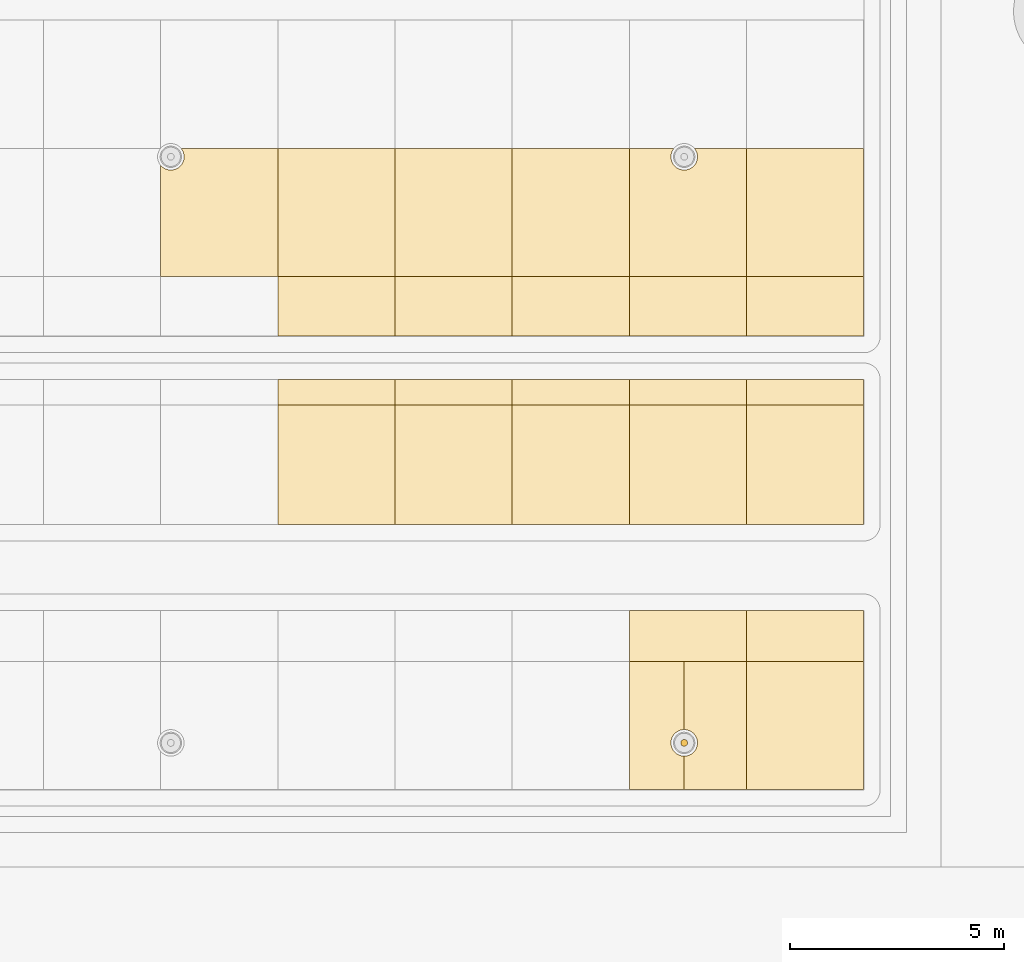
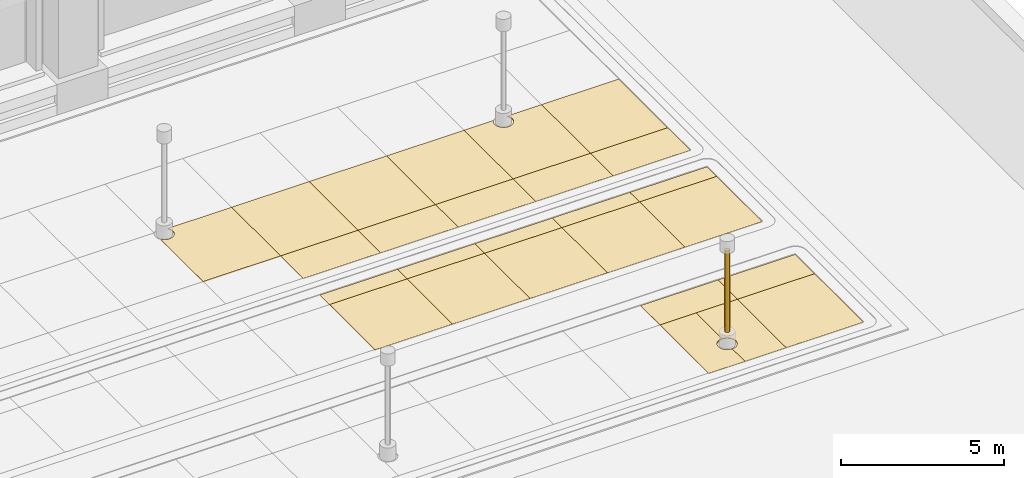
# One storey, part 160 of 222: 27 coverings.
"""IFC4 building model written with IfcOpenShell, lengths in metres."""

from ifc_helpers import new_model, si_unit, direction, frame, origin, origin_2d, place, context, subcontext, project, spatial, polyline, circle, outline, extrude, material, layer, layer_set, type_object, element, save


model = new_model("IFC4")

# Units and contexts
model_context = context("Model", 3, precision=1e-05, world=origin(), true_north=direction((0.0, 1.0)))
body_context = subcontext(model_context, "Body", "Model", "MODEL_VIEW")
ifc_project = project(units=[si_unit("LENGTHUNIT", "METRE"), si_unit("AREAUNIT", "SQUARE_METRE"), si_unit("VOLUMEUNIT", "CUBIC_METRE"), si_unit("PLANEANGLEUNIT", "RADIAN"), si_unit("MASSUNIT", "GRAM", prefix="KILO")], contexts=[model_context])

# Site, building, storey
site_placement = place(None, origin())
site = spatial("IfcSite", under=ifc_project, at=site_placement, CompositionType="ELEMENT")
building_placement = place(site_placement, origin())
building = spatial("IfcBuilding", under=site, at=building_placement, Name="Sava Quay Ferry Terminal", CompositionType="ELEMENT")
storey_placement = place(building_placement, origin())
storey = spatial("IfcBuildingStorey", under=building, at=storey_placement, Name="L00", CompositionType="ELEMENT", Elevation=0.0)

# Coverings
ifc_material_1 = material(Name="Limestone Mutalj", Category="masonry")
ifc_layer_1 = layer(ifc_material_1, 0.030029296875)
ifc_layer_set_1 = layer_set([ifc_layer_1], Name="Limestone Mutalj")
covering_type_1 = type_object("IfcCoveringType", Name="Court paving tile 30", PredefinedType="FLOORING", material=ifc_layer_set_1)
covering_1_placement = place(storey_placement, origin())
element("IfcCovering", 1, at=covering_1_placement, inside=storey, type_object=covering_type_1, Name="Limestone paving tile", PredefinedType="FLOORING", context=body_context, shape_type="SweptSolid", body=[
    extrude(outline(polyline([(152.5, 16.800048828125), (150.237060546875, 16.800048828125), (150.257080078125, 16.77294921875), (150.27294921875, 16.7470703125), (150.285888671875, 16.718994140625), (150.2958984375, 16.68994140625), (150.303955078125, 16.660888671875), (150.30810546875, 16.631103515625), (150.31005859375, 16.60009765625), (150.30908203125, 16.570068359375), (150.303955078125, 16.5400390625), (150.297119140625, 16.510009765625), (150.287109375, 16.48193359375), (150.27392578125, 16.4541015625), (150.258056640625, 16.427978515625), (150.239990234375, 16.404052734375), (150.219970703125, 16.381103515625), (150.197021484375, 16.361083984375), (150.173095703125, 16.343017578125), (150.14697265625, 16.326904296875), (150.118896484375, 16.31396484375), (150.090087890625, 16.303955078125), (150.06005859375, 16.2958984375), (150.030029296875, 16.291015625), (150.0, 16.2900390625), (149.968994140625, 16.2919921875), (149.93896484375, 16.2958984375), (149.909912109375, 16.303955078125), (149.881103515625, 16.31396484375), (149.85302734375, 16.326904296875), (149.826904296875, 16.343017578125), (149.802978515625, 16.361083984375), (149.780029296875, 16.381103515625), (149.760009765625, 16.404052734375), (149.760009765625, 13.800048828125), (152.5, 13.800048828125), (152.5, 16.800048828125)])), origin(), (0.0, 0.0, 1.0), 0.030029296875),
])
covering_2_placement = place(storey_placement, origin())
element("IfcCovering", 2, at=covering_2_placement, inside=storey, type_object=covering_type_1, Name="Limestone paving tile", PredefinedType="FLOORING", context=body_context, shape_type="SweptSolid", body=[
    extrude(outline(polyline([(155.239990234375, 10.800048828125), (155.239990234375, 11.389892578125), (152.5, 11.389892578125), (152.5, 10.800048828125), (155.239990234375, 10.800048828125)])), origin(), (0.0, 0.0, 1.0), 0.030029296875),
])
covering_3_placement = place(storey_placement, origin())
element("IfcCovering", 3, at=covering_3_placement, inside=storey, type_object=covering_type_1, Name="Limestone paving tile", PredefinedType="FLOORING", context=body_context, shape_type="SweptSolid", body=[
    extrude(outline(polyline([(152.5, 13.800048828125), (152.5, 12.409912109375), (155.239990234375, 12.409912109375), (155.239990234375, 13.800048828125), (152.5, 13.800048828125)])), origin(), (0.0, 0.0, 1.0), 0.030029296875),
])
covering_4_placement = place(storey_placement, origin())
element("IfcCovering", 4, at=covering_4_placement, inside=storey, type_object=covering_type_1, Name="Limestone paving tile", PredefinedType="FLOORING", context=body_context, shape_type="SweptSolid", body=[
    extrude(outline(polyline([(155.239990234375, 10.800048828125), (155.239990234375, 8.010009765625), (157.97998046875, 8.010009765625), (157.97998046875, 10.800048828125), (155.239990234375, 10.800048828125)])), origin(), (0.0, 0.0, 1.0), 0.030029296875),
])
covering_5_placement = place(storey_placement, origin())
element("IfcCovering", 5, at=covering_5_placement, inside=storey, type_object=covering_type_1, Name="Limestone paving tile", PredefinedType="FLOORING", context=body_context, shape_type="SweptSolid", body=[
    extrude(outline(polyline([(155.239990234375, 13.800048828125), (157.97998046875, 13.800048828125), (157.97998046875, 16.800048828125), (155.239990234375, 16.800048828125), (155.239990234375, 13.800048828125)])), origin(), (0.0, 0.0, 1.0), 0.030029296875),
])
covering_6_placement = place(storey_placement, origin())
element("IfcCovering", 6, at=covering_6_placement, inside=storey, type_object=covering_type_1, Name="Limestone paving tile", PredefinedType="FLOORING", context=body_context, shape_type="SweptSolid", body=[
    extrude(outline(polyline([(160.719970703125, 10.800048828125), (160.719970703125, 11.389892578125), (157.97998046875, 11.389892578125), (157.97998046875, 10.800048828125), (160.719970703125, 10.800048828125)])), origin(), (0.0, 0.0, 1.0), 0.030029296875),
])
covering_7_placement = place(storey_placement, origin())
element("IfcCovering", 7, at=covering_7_placement, inside=storey, type_object=covering_type_1, Name="Limestone paving tile", PredefinedType="FLOORING", context=body_context, shape_type="SweptSolid", body=[
    extrude(outline(polyline([(157.97998046875, 13.800048828125), (157.97998046875, 12.409912109375), (160.719970703125, 12.409912109375), (160.719970703125, 13.800048828125), (157.97998046875, 13.800048828125)])), origin(), (0.0, 0.0, 1.0), 0.030029296875),
])
covering_8_placement = place(storey_placement, origin())
element("IfcCovering", 8, at=covering_8_placement, inside=storey, type_object=covering_type_1, Name="Limestone paving tile", PredefinedType="FLOORING", context=body_context, shape_type="SweptSolid", body=[
    extrude(outline(polyline([(162.0, 4.800048828125), (160.719970703125, 4.800048828125), (160.719970703125, 1.81005859375), (162.0, 1.81005859375), (162.0, 2.590087890625), (161.968994140625, 2.592041015625), (161.93896484375, 2.595947265625), (161.909912109375, 2.60400390625), (161.881103515625, 2.614013671875), (161.85302734375, 2.626953125), (161.826904296875, 2.64306640625), (161.802978515625, 2.660888671875), (161.780029296875, 2.680908203125), (161.760009765625, 2.7041015625), (161.741943359375, 2.72802734375), (161.72607421875, 2.75390625), (161.712890625, 2.781982421875), (161.702880859375, 2.81005859375), (161.696044921875, 2.840087890625), (161.69091796875, 2.8701171875), (161.68994140625, 2.89990234375), (161.69189453125, 2.930908203125), (161.696044921875, 2.9609375), (161.7041015625, 2.989990234375), (161.714111328125, 3.01904296875), (161.72705078125, 3.047119140625), (161.742919921875, 3.072998046875), (161.760986328125, 3.096923828125), (161.781005859375, 3.1201171875), (161.803955078125, 3.139892578125), (161.827880859375, 3.157958984375), (161.85400390625, 3.174072265625), (161.882080078125, 3.18701171875), (161.909912109375, 3.197021484375), (161.93994140625, 3.2041015625), (161.969970703125, 3.208984375), (162.0, 3.2099609375), (162.0, 4.800048828125)])), origin(), (0.0, 0.0, 1.0), 0.030029296875),
])
covering_9_placement = place(storey_placement, origin())
element("IfcCovering", 9, at=covering_9_placement, inside=storey, type_object=covering_type_1, Name="Limestone paving tile", PredefinedType="FLOORING", context=body_context, shape_type="SweptSolid", body=[
    extrude(outline(polyline([(163.4599609375, 4.800048828125), (162.0, 4.800048828125), (162.0, 3.2099609375), (162.031005859375, 3.2080078125), (162.06103515625, 3.2041015625), (162.090087890625, 3.196044921875), (162.118896484375, 3.18603515625), (162.14697265625, 3.173095703125), (162.173095703125, 3.156982421875), (162.197021484375, 3.138916015625), (162.219970703125, 3.118896484375), (162.239990234375, 3.095947265625), (162.258056640625, 3.072021484375), (162.27392578125, 3.0458984375), (162.287109375, 3.01806640625), (162.297119140625, 2.989990234375), (162.303955078125, 2.9599609375), (162.30908203125, 2.929931640625), (162.31005859375, 2.89990234375), (162.30810546875, 2.868896484375), (162.303955078125, 2.839111328125), (162.2958984375, 2.81005859375), (162.285888671875, 2.781005859375), (162.27294921875, 2.7529296875), (162.257080078125, 2.72705078125), (162.239013671875, 2.702880859375), (162.218994140625, 2.679931640625), (162.196044921875, 2.659912109375), (162.172119140625, 2.64208984375), (162.14599609375, 2.6259765625), (162.117919921875, 2.613037109375), (162.090087890625, 2.60302734375), (162.06005859375, 2.595947265625), (162.030029296875, 2.591064453125), (162.0, 2.590087890625), (162.0, 1.81005859375), (163.4599609375, 1.81005859375), (163.4599609375, 4.800048828125)])), origin(), (0.0, 0.0, 1.0), 0.030029296875),
])
covering_10_placement = place(storey_placement, origin())
element("IfcCovering", 10, at=covering_10_placement, inside=storey, type_object=covering_type_1, Name="Limestone paving tile", PredefinedType="FLOORING", context=body_context, shape_type="SweptSolid", body=[
    extrude(outline(polyline([(160.719970703125, 10.800048828125), (160.719970703125, 8.010009765625), (163.4599609375, 8.010009765625), (163.4599609375, 10.800048828125), (160.719970703125, 10.800048828125)])), origin(), (0.0, 0.0, 1.0), 0.030029296875),
])
covering_11_placement = place(storey_placement, origin())
element("IfcCovering", 11, at=covering_11_placement, inside=storey, type_object=covering_type_1, Name="Limestone paving tile", PredefinedType="FLOORING", context=body_context, shape_type="SweptSolid", body=[
    extrude(outline(polyline([(163.4599609375, 16.800048828125), (162.237060546875, 16.800048828125), (162.257080078125, 16.77294921875), (162.27392578125, 16.74609375), (162.285888671875, 16.718994140625), (162.2958984375, 16.68994140625), (162.303955078125, 16.659912109375), (162.30908203125, 16.6298828125), (162.31005859375, 16.60009765625), (162.30810546875, 16.569091796875), (162.303955078125, 16.5390625), (162.297119140625, 16.510009765625), (162.285888671875, 16.48095703125), (162.27392578125, 16.4541015625), (162.258056640625, 16.427978515625), (162.239013671875, 16.403076171875), (162.219970703125, 16.381103515625), (162.197021484375, 16.361083984375), (162.172119140625, 16.342041015625), (162.14697265625, 16.326904296875), (162.118896484375, 16.31396484375), (162.090087890625, 16.302978515625), (162.06005859375, 16.2958984375), (162.031005859375, 16.2919921875), (162.0, 16.2900390625), (161.969970703125, 16.291015625), (161.93994140625, 16.2958984375), (161.909912109375, 16.303955078125), (161.882080078125, 16.31298828125), (161.85400390625, 16.325927734375), (161.827880859375, 16.342041015625), (161.802978515625, 16.361083984375), (161.780029296875, 16.381103515625), (161.760986328125, 16.403076171875), (161.741943359375, 16.427978515625), (161.72607421875, 16.4541015625), (161.714111328125, 16.48095703125), (161.702880859375, 16.510009765625), (161.696044921875, 16.5390625), (161.69189453125, 16.569091796875), (161.68994140625, 16.60009765625), (161.69091796875, 16.6298828125), (161.696044921875, 16.659912109375), (161.7041015625, 16.68994140625), (161.714111328125, 16.718994140625), (161.72607421875, 16.74609375), (161.742919921875, 16.77294921875), (161.762939453125, 16.800048828125), (160.719970703125, 16.800048828125), (160.719970703125, 13.800048828125), (163.4599609375, 13.800048828125), (163.4599609375, 16.800048828125)])), origin(), (0.0, 0.0, 1.0), 0.030029296875),
])
covering_12_placement = place(storey_placement, origin())
element("IfcCovering", 12, at=covering_12_placement, inside=storey, type_object=covering_type_1, Name="Limestone paving tile", PredefinedType="FLOORING", context=body_context, shape_type="SweptSolid", body=[
    extrude(outline(polyline([(163.4599609375, 4.800048828125), (166.18994140625, 4.800048828125), (166.18994140625, 5.989990234375), (163.4599609375, 5.989990234375), (163.4599609375, 4.800048828125)])), origin(), (0.0, 0.0, 1.0), 0.030029296875),
])
covering_13_placement = place(storey_placement, origin())
element("IfcCovering", 13, at=covering_13_placement, inside=storey, type_object=covering_type_1, Name="Limestone paving tile", PredefinedType="FLOORING", context=body_context, shape_type="SweptSolid", body=[
    extrude(outline(polyline([(163.4599609375, 13.800048828125), (163.4599609375, 12.409912109375), (166.18994140625, 12.409912109375), (166.18994140625, 13.800048828125), (163.4599609375, 13.800048828125)])), origin(), (0.0, 0.0, 1.0), 0.030029296875),
])
covering_14_placement = place(storey_placement, origin())
element("IfcCovering", 14, at=covering_14_placement, inside=storey, type_object=covering_type_1, Name="Limestone paving tile", PredefinedType="FLOORING", context=body_context, shape_type="SweptSolid", body=[
    extrude(outline(polyline([(163.4599609375, 10.800048828125), (166.18994140625, 10.800048828125), (166.18994140625, 11.389892578125), (163.4599609375, 11.389892578125), (163.4599609375, 10.800048828125)])), origin(), (0.0, 0.0, 1.0), 0.030029296875),
])
ifc_material_2 = material(Name="Red sandstone Vrsac", Category="masonry")
ifc_layer_2 = layer(ifc_material_2, 0.030029296875)
ifc_layer_set_2 = layer_set([ifc_layer_2], Name="Red sandstone Vrsac")
covering_type_2 = type_object("IfcCoveringType", Name="Court paving tile sandstone 30", PredefinedType="FLOORING", material=ifc_layer_set_2)
covering_15_placement = place(storey_placement, origin())
element("IfcCovering", 15, at=covering_15_placement, inside=storey, type_object=covering_type_2, Name="Sandstone paving tile", PredefinedType="FLOORING", context=body_context, shape_type="SweptSolid", body=[
    extrude(outline(polyline([(152.5, 10.800048828125), (152.5, 8.010009765625), (155.239990234375, 8.010009765625), (155.239990234375, 10.800048828125), (152.5, 10.800048828125)])), origin(), (0.0, 0.0, 1.0), 0.030029296875),
])
covering_16_placement = place(storey_placement, origin())
element("IfcCovering", 16, at=covering_16_placement, inside=storey, type_object=covering_type_2, Name="Sandstone paving tile", PredefinedType="FLOORING", context=body_context, shape_type="SweptSolid", body=[
    extrude(outline(polyline([(152.5, 13.800048828125), (155.239990234375, 13.800048828125), (155.239990234375, 16.800048828125), (152.5, 16.800048828125), (152.5, 13.800048828125)])), origin(), (0.0, 0.0, 1.0), 0.030029296875),
])
covering_17_placement = place(storey_placement, origin())
element("IfcCovering", 17, at=covering_17_placement, inside=storey, type_object=covering_type_2, Name="Sandstone paving tile", PredefinedType="FLOORING", context=body_context, shape_type="SweptSolid", body=[
    extrude(outline(polyline([(157.97998046875, 10.800048828125), (157.97998046875, 11.389892578125), (155.239990234375, 11.389892578125), (155.239990234375, 10.800048828125), (157.97998046875, 10.800048828125)])), origin(), (0.0, 0.0, 1.0), 0.030029296875),
])
covering_18_placement = place(storey_placement, origin())
element("IfcCovering", 18, at=covering_18_placement, inside=storey, type_object=covering_type_2, Name="Sandstone paving tile", PredefinedType="FLOORING", context=body_context, shape_type="SweptSolid", body=[
    extrude(outline(polyline([(155.239990234375, 13.800048828125), (155.239990234375, 12.409912109375), (157.97998046875, 12.409912109375), (157.97998046875, 13.800048828125), (155.239990234375, 13.800048828125)])), origin(), (0.0, 0.0, 1.0), 0.030029296875),
])
covering_19_placement = place(storey_placement, origin())
element("IfcCovering", 19, at=covering_19_placement, inside=storey, type_object=covering_type_2, Name="Sandstone paving tile", PredefinedType="FLOORING", context=body_context, shape_type="SweptSolid", body=[
    extrude(outline(polyline([(157.97998046875, 10.800048828125), (157.97998046875, 8.010009765625), (160.719970703125, 8.010009765625), (160.719970703125, 10.800048828125), (157.97998046875, 10.800048828125)])), origin(), (0.0, 0.0, 1.0), 0.030029296875),
])
covering_20_placement = place(storey_placement, origin())
element("IfcCovering", 20, at=covering_20_placement, inside=storey, type_object=covering_type_2, Name="Sandstone paving tile", PredefinedType="FLOORING", context=body_context, shape_type="SweptSolid", body=[
    extrude(outline(polyline([(157.97998046875, 13.800048828125), (160.719970703125, 13.800048828125), (160.719970703125, 16.800048828125), (157.97998046875, 16.800048828125), (157.97998046875, 13.800048828125)])), origin(), (0.0, 0.0, 1.0), 0.030029296875),
])
covering_21_placement = place(storey_placement, origin())
element("IfcCovering", 21, at=covering_21_placement, inside=storey, type_object=covering_type_2, Name="Sandstone paving tile", PredefinedType="FLOORING", context=body_context, shape_type="SweptSolid", body=[
    extrude(outline(polyline([(163.4599609375, 4.800048828125), (163.4599609375, 5.989990234375), (160.719970703125, 5.989990234375), (160.719970703125, 4.800048828125), (163.4599609375, 4.800048828125)])), origin(), (0.0, 0.0, 1.0), 0.030029296875),
])
covering_22_placement = place(storey_placement, origin())
element("IfcCovering", 22, at=covering_22_placement, inside=storey, type_object=covering_type_2, Name="Sandstone paving tile", PredefinedType="FLOORING", context=body_context, shape_type="SweptSolid", body=[
    extrude(outline(polyline([(163.4599609375, 10.800048828125), (163.4599609375, 11.389892578125), (160.719970703125, 11.389892578125), (160.719970703125, 10.800048828125), (163.4599609375, 10.800048828125)])), origin(), (0.0, 0.0, 1.0), 0.030029296875),
])
covering_23_placement = place(storey_placement, origin())
element("IfcCovering", 23, at=covering_23_placement, inside=storey, type_object=covering_type_2, Name="Sandstone paving tile", PredefinedType="FLOORING", context=body_context, shape_type="SweptSolid", body=[
    extrude(outline(polyline([(160.719970703125, 13.800048828125), (160.719970703125, 12.409912109375), (163.4599609375, 12.409912109375), (163.4599609375, 13.800048828125), (160.719970703125, 13.800048828125)])), origin(), (0.0, 0.0, 1.0), 0.030029296875),
])
covering_24_placement = place(storey_placement, origin())
element("IfcCovering", 24, at=covering_24_placement, inside=storey, type_object=covering_type_2, Name="Sandstone paving tile", PredefinedType="FLOORING", context=body_context, shape_type="SweptSolid", body=[
    extrude(outline(polyline([(163.4599609375, 4.800048828125), (163.4599609375, 1.81005859375), (166.18994140625, 1.81005859375), (166.18994140625, 4.800048828125), (163.4599609375, 4.800048828125)])), origin(), (0.0, 0.0, 1.0), 0.030029296875),
])
covering_25_placement = place(storey_placement, origin())
element("IfcCovering", 25, at=covering_25_placement, inside=storey, type_object=covering_type_2, Name="Sandstone paving tile", PredefinedType="FLOORING", context=body_context, shape_type="SweptSolid", body=[
    extrude(outline(polyline([(163.4599609375, 10.800048828125), (163.4599609375, 8.010009765625), (166.18994140625, 8.010009765625), (166.18994140625, 10.800048828125), (163.4599609375, 10.800048828125)])), origin(), (0.0, 0.0, 1.0), 0.030029296875),
])
covering_26_placement = place(storey_placement, origin())
element("IfcCovering", 26, at=covering_26_placement, inside=storey, type_object=covering_type_2, Name="Sandstone paving tile", PredefinedType="FLOORING", context=body_context, shape_type="SweptSolid", body=[
    extrude(outline(polyline([(163.4599609375, 13.800048828125), (166.18994140625, 13.800048828125), (166.18994140625, 16.800048828125), (163.4599609375, 16.800048828125), (163.4599609375, 13.800048828125)])), origin(), (0.0, 0.0, 1.0), 0.030029296875),
])
ifc_material_3 = material(Name="Steel S355", Category="steel")
ifc_layer_3 = layer(ifc_material_3, 0.159912109375)
ifc_layer_set_3 = layer_set([ifc_layer_3], Name="Steel S355")
covering_type_3 = type_object("IfcCoveringType", Name="Lamp standard column 160", PredefinedType="CLADDING", material=ifc_layer_set_3)
covering_27_placement = place(storey_placement, frame((162.0, 2.89990234375, 3.550048828125), z_axis=(0.0, 0.0, -1.0), x_axis=(1.0, 0.0, 0.0)))
element("IfcCovering", 27, at=covering_27_placement, inside=storey, type_object=covering_type_3, Name="Lamp standard column", PredefinedType="CLADDING", context=body_context, shape_type="SweptSolid", body=[
    extrude(circle(Radius=0.080078125, at=origin_2d()), origin(), (0.0, 0.0, 1.0), 3.050048828125),
])

save(model, "model.ifc")
